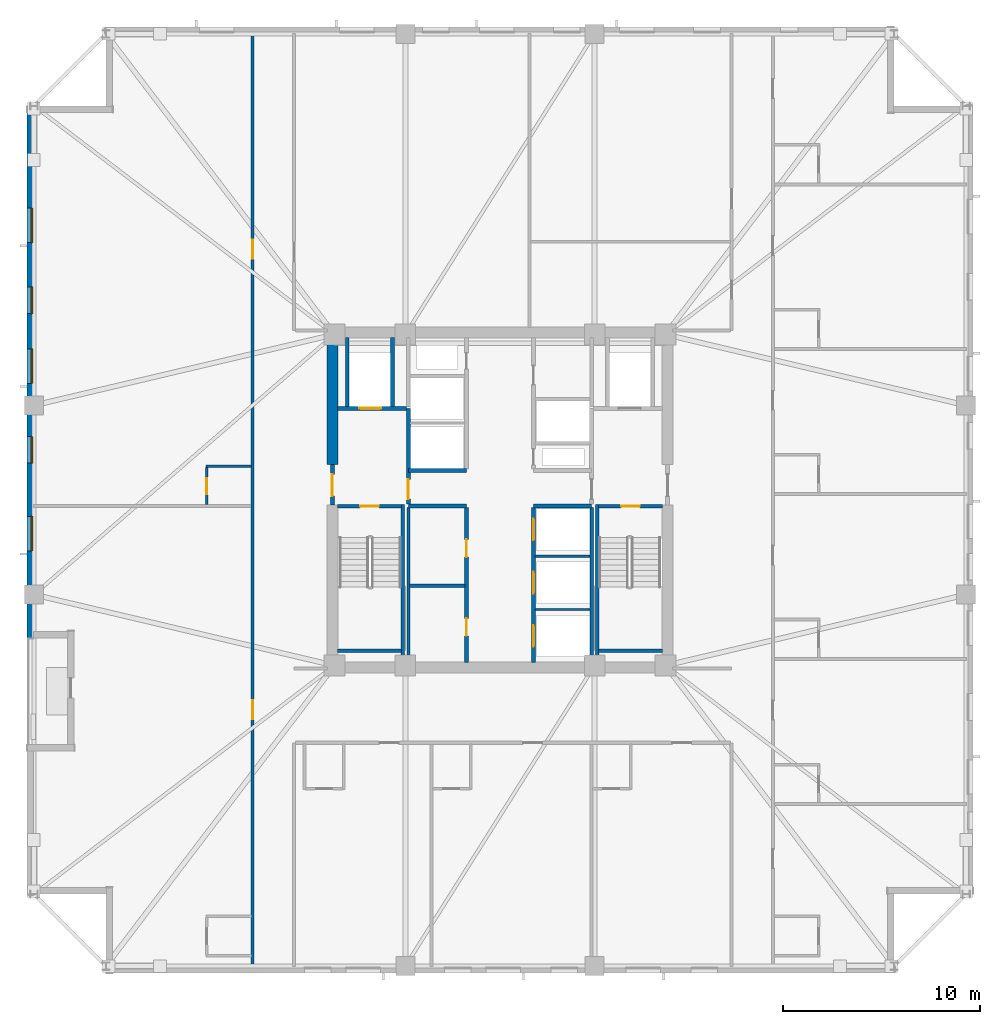
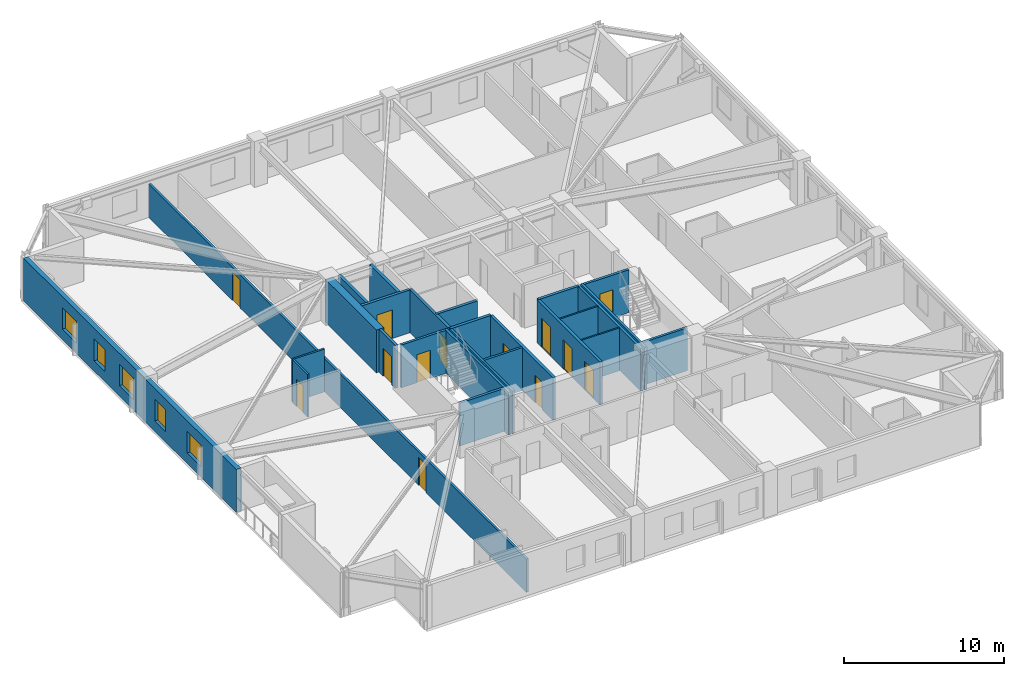
# One storey, part 3 of 11: 26 walls, 13 doors, 5 windows, 18 openings.
"""IFC4 building model written with IfcOpenShell, lengths in metres."""

from ifc_helpers import new_model, si_unit, direction, frame, frame_2d, origin, place, context, subcontext, project, spatial, rectangle, extrude, material, layer, layer_set, type_object, element, fill, save


model = new_model("IFC4")

# Units and contexts
model_context = context("Model", 3, precision=1e-05, world=origin(), true_north=direction((0.0, 1.0)))
body_context = subcontext(model_context, "Body", "Model", "MODEL_VIEW")
ifc_project = project(units=[si_unit("LENGTHUNIT", "METRE"), si_unit("AREAUNIT", "SQUARE_METRE"), si_unit("VOLUMEUNIT", "CUBIC_METRE"), si_unit("PLANEANGLEUNIT", "RADIAN"), si_unit("MASSUNIT", "GRAM", prefix="KILO")], contexts=[model_context])

# Site, building, storey
site_placement = place(None, origin())
site = spatial("IfcSite", under=ifc_project, at=site_placement, CompositionType="ELEMENT")
building_placement = place(site_placement, origin())
building = spatial("IfcBuilding", under=site, at=building_placement, Name="Cairnveth Concourse Tower", CompositionType="ELEMENT")
storey_placement = place(building_placement, frame((0.0, 0.0, 130.5)))
storey = spatial("IfcBuildingStorey", under=building, at=storey_placement, Name="L35", CompositionType="ELEMENT", Elevation=130.5)

# Walls
ifc_material_1 = material(Name="Gypsum Plasterboard Partition", Category="gypsum")
ifc_layer_1 = layer(ifc_material_1, 0.159912109375)
ifc_layer_set_1 = layer_set([ifc_layer_1], Name="Gypsum Plasterboard Partition")
wall_type_1 = type_object("IfcWallType", Name="ACOUSTIC PARTY WALL 180", PredefinedType="PARTITIONING", material=ifc_layer_set_1)
wall_1_placement = place(storey_placement, frame((47.35009765625, 30.760009765625, 0.0), z_axis=(0.0, 0.0, 1.0), x_axis=(0.0, 1.0, 0.0)))
element("IfcWall", 1, at=wall_1_placement, inside=storey, type_object=wall_type_1, Name="Interior Wall IW-L35-025", PredefinedType="PARTITIONING", context=body_context, shape_type="SweptSolid", body=[
    extrude(rectangle(XDim=7.85498046875, YDim=0.159912109375, at=frame_2d((3.927490234375, 0.0))), origin(), (0.0, 0.0, 1.0), 3.280029296875),
])
wall_2_placement = place(storey_placement, frame((47.4150390625, 34.64990234375, 0.0), z_axis=(0.0, 0.0, 1.0), x_axis=(1.0, 0.0, 0.0)))
element("IfcWall", 2, at=wall_2_placement, inside=storey, type_object=wall_type_1, Name="Interior Wall IW-L35-026", PredefinedType="PARTITIONING", context=body_context, shape_type="SweptSolid", body=[
    extrude(rectangle(XDim=2.800048828125, YDim=0.159912109375, at=frame_2d((1.39990234375, 0.0))), origin(), (0.0, 0.0, 1.0), 3.280029296875),
])

# Wall, openings, doors
wall_3_placement = place(storey_placement, frame((39.449951171875, 15.324951171875, 0.0), z_axis=(0.0, 0.0, 1.0), x_axis=(0.0, 1.0, 0.0)))
wall_3 = element("IfcWall", 3, at=wall_3_placement, inside=storey, type_object=wall_type_1, Name="Interior Wall IW-L35-036", PredefinedType="PARTITIONING", context=body_context, shape_type="SweptSolid", body=[
    extrude(rectangle(XDim=47.35009765625, YDim=0.159912109375, at=frame_2d((23.675048828125, 0.0))), origin(), (0.0, 0.0, 1.0), 2.554931640625),
])
opening_1_placement = place(wall_3_placement, frame((12.55712890625, 0.0, 0.0)))
opening_1 = element("IfcOpeningElement", 4, at=opening_1_placement, cuts=wall_3, Name="Opening ID09", PredefinedType="OPENING", context=body_context, shape_type="SweptSolid", body=[
    extrude(rectangle(XDim=0.9599609375, YDim=2.14990234375, at=frame_2d((0.47998046875, 1.074951171875))), frame((0.0, 0.08984375, 0.0), z_axis=(0.0, -1.0, 0.0), x_axis=(1.0, 0.0, 0.0)), (0.0, 0.0, 1.0), 0.179931640625),
])
opening_2_placement = place(wall_3_placement, frame((35.912109375, 0.0, 0.0)))
opening_2 = element("IfcOpeningElement", 5, at=opening_2_placement, cuts=wall_3, Name="Opening ID09", PredefinedType="OPENING", context=body_context, shape_type="SweptSolid", body=[
    extrude(rectangle(XDim=0.9599609375, YDim=2.14990234375, at=frame_2d((0.47998046875, 1.074951171875))), frame((0.0, 0.08984375, 0.0), z_axis=(0.0, -1.0, 0.0), x_axis=(1.0, 0.0, 0.0)), (0.0, 0.0, 1.0), 0.179931640625),
])
ifc_material_2 = material(Name="Solid Core Hardwood Timber Leaf", Category="wood")
door_type_1 = type_object("IfcDoorType", Name="HOTEL ENTRANCE DOOR 960X2150", OperationType="NOTDEFINED", PredefinedType="DOOR", material=ifc_material_2)
door_1_placement = place(opening_1_placement, origin())
door_1 = element("IfcDoor", 6, at=door_1_placement, inside=storey, type_object=door_type_1, Name="Hotel Room Door L35-W1", OperationType="SINGLE_SWING_LEFT", OverallHeight=2.14990234375, OverallWidth=0.9599609375, PredefinedType="DOOR", context=body_context, shape_type="SweptSolid", body=[
    extrude(rectangle(XDim=0.9599609375, YDim=2.14990234375, at=frame_2d((0.47998046875, 1.074951171875))), frame((0.0, 0.02490234375, 0.0), z_axis=(0.0, -1.0, 0.0), x_axis=(1.0, 0.0, 0.0)), (0.0, 0.0, 1.0), 0.050048828125),
])
fill(opening_1, door_1)
door_2_placement = place(opening_2_placement, origin())
door_2 = element("IfcDoor", 7, at=door_2_placement, inside=storey, type_object=door_type_1, Name="Hotel Room Door L35-W2", OperationType="SINGLE_SWING_LEFT", OverallHeight=2.14990234375, OverallWidth=0.9599609375, PredefinedType="DOOR", context=body_context, shape_type="SweptSolid", body=[
    extrude(rectangle(XDim=0.9599609375, YDim=2.14990234375, at=frame_2d((0.47998046875, 1.074951171875))), frame((0.0, 0.02490234375, 0.0), z_axis=(0.0, -1.0, 0.0), x_axis=(1.0, 0.0, 0.0)), (0.0, 0.0, 1.0), 0.050048828125),
])
fill(opening_2, door_2)

# Walls
ifc_material_3 = material(Name="Concrete N80 (80 MPa)", Category="concrete")
ifc_layer_2 = layer(ifc_material_3, 0.550048828125)
ifc_layer_set_2 = layer_set([ifc_layer_2], Name="Concrete N80 (80 MPa)")
wall_type_2 = type_object("IfcWallType", Name="CORE SHEAR WALL 550", PredefinedType="SHEAR", material=ifc_layer_set_2)
wall_4_placement = place(storey_placement, frame((43.5, 40.800048828125, 0.0), z_axis=(0.0, 0.0, 1.0), x_axis=(0.0, 1.0, 0.0)))
element("IfcWall", 8, at=wall_4_placement, inside=storey, type_object=wall_type_2, Name="Core West Shear Wall N L35", PredefinedType="SHEAR", context=body_context, shape_type="SweptSolid", body=[
    extrude(rectangle(XDim=6.43505859375, YDim=0.550048828125, at=frame_2d((3.217529296875, 0.0))), origin(), (0.0, 0.0, 1.0), 3.280029296875),
])
ifc_material_4 = material(Name="Concrete N50 (50 MPa)", Category="concrete")
ifc_layer_3 = layer(ifc_material_4, 0.179931640625)
ifc_layer_set_3 = layer_set([ifc_layer_3], Name="Concrete N50 (50 MPa)")
wall_type_3 = type_object("IfcWallType", Name="FIRE SHAFT WALL 180", PredefinedType="SOLIDWALL", material=ifc_layer_set_3)
wall_5_placement = place(storey_placement, frame((56.64990234375, 30.760009765625, 0.0), z_axis=(0.0, 0.0, 1.0), x_axis=(0.0, 1.0, 0.0)))
element("IfcWall", 9, at=wall_5_placement, inside=storey, type_object=wall_type_3, Name="Interior Wall IW-L35-027", PredefinedType="SOLIDWALL", context=body_context, shape_type="SweptSolid", body=[
    extrude(rectangle(XDim=7.85498046875, YDim=0.179931640625, at=frame_2d((3.927490234375, 0.0))), origin(), (0.0, 0.0, 1.0), 3.280029296875),
])

# Wall, opening, door
wall_6_placement = place(storey_placement, frame((43.764892578125, 38.68994140625, 0.0), z_axis=(0.0, 0.0, 1.0), x_axis=(1.0, 0.0, 0.0)))
wall_6 = element("IfcWall", 10, at=wall_6_placement, inside=storey, type_object=wall_type_3, Name="Stair ST-1 Shaft Wall NEAR L35", PredefinedType="SOLIDWALL", context=body_context, shape_type="SweptSolid", body=[
    extrude(rectangle(XDim=3.230224609375, YDim=0.179931640625, at=frame_2d((1.615234375, 0.0))), origin(), (0.0, 0.0, 1.0), 3.280029296875),
])
opening_3_placement = place(wall_6_placement, frame((1.139892578125, 0.0, 0.0)))
opening_3 = element("IfcOpeningElement", 11, at=opening_3_placement, cuts=wall_6, Name="Opening ID12", PredefinedType="OPENING", context=body_context, shape_type="SweptSolid", body=[
    extrude(rectangle(XDim=0.949951171875, YDim=2.14990234375, at=frame_2d((0.47509765625, 1.074951171875))), frame((0.0, 0.099853515625, 0.0), z_axis=(0.0, -1.0, 0.0), x_axis=(1.0, 0.0, 0.0)), (0.0, 0.0, 1.0), 0.199951171875),
])
ifc_material_5 = material(Name="Steel Grade 350", Category="steel")
door_type_2 = type_object("IfcDoorType", Name="FIRE STAIR DOOR 950X2150", OperationType="NOTDEFINED", PredefinedType="DOOR", material=ifc_material_5)
door_3_placement = place(opening_3_placement, origin())
door_3 = element("IfcDoor", 12, at=door_3_placement, inside=storey, type_object=door_type_2, Name="Stair ST-1 Fire Door L35", OperationType="SINGLE_SWING_LEFT", OverallHeight=2.14990234375, OverallWidth=0.949951171875, PredefinedType="DOOR", context=body_context, shape_type="SweptSolid", body=[
    extrude(rectangle(XDim=0.949951171875, YDim=2.14990234375, at=frame_2d((0.47509765625, 1.074951171875))), frame((0.0, 0.02490234375, 0.0), z_axis=(0.0, -1.0, 0.0), x_axis=(1.0, 0.0, 0.0)), (0.0, 0.0, 1.0), 0.050048828125),
])
fill(opening_3, door_3)

# Walls
wall_7_placement = place(storey_placement, frame((43.764892578125, 31.360107421875, 0.0), z_axis=(0.0, 0.0, 1.0), x_axis=(1.0, 0.0, 0.0)))
element("IfcWall", 13, at=wall_7_placement, inside=storey, type_object=wall_type_3, Name="Stair ST-1 Shaft Wall FAR L35", PredefinedType="SOLIDWALL", context=body_context, shape_type="SweptSolid", body=[
    extrude(rectangle(XDim=3.230224609375, YDim=0.179931640625, at=frame_2d((1.615234375, 0.0))), origin(), (0.0, 0.0, 1.0), 3.280029296875),
])
wall_8_placement = place(storey_placement, frame((47.070068359375, 38.780029296875, 0.0), z_axis=(0.0, 0.0, 1.0), x_axis=(0.0, -1.0, 0.0)))
element("IfcWall", 14, at=wall_8_placement, inside=storey, type_object=wall_type_3, Name="Stair ST-1 Shaft Wall RGHT L35", PredefinedType="SOLIDWALL", context=body_context, shape_type="SweptSolid", body=[
    extrude(rectangle(XDim=8.01708984375, YDim=0.179931640625, at=frame_2d((4.008544921875, 0.0))), origin(), (0.0, 0.0, 1.0), 3.280029296875),
])

# Wall, opening, door
wall_9_placement = place(storey_placement, frame((57.0048828125, 38.68994140625, 0.0), z_axis=(0.0, 0.0, 1.0), x_axis=(1.0, 0.0, 0.0)))
wall_9 = element("IfcWall", 15, at=wall_9_placement, inside=storey, type_object=wall_type_3, Name="Stair ST-2 Shaft Wall NEAR L35", PredefinedType="SOLIDWALL", context=body_context, shape_type="SweptSolid", body=[
    extrude(rectangle(XDim=3.230224609375, YDim=0.179931640625, at=frame_2d((1.615234375, 0.0))), origin(), (0.0, 0.0, 1.0), 3.280029296875),
])
opening_4_placement = place(wall_9_placement, frame((1.139892578125, 0.0, 0.0)))
opening_4 = element("IfcOpeningElement", 16, at=opening_4_placement, cuts=wall_9, Name="Opening ID12", PredefinedType="OPENING", context=body_context, shape_type="SweptSolid", body=[
    extrude(rectangle(XDim=0.949951171875, YDim=2.14990234375, at=frame_2d((0.47509765625, 1.074951171875))), frame((0.0, 0.099853515625, 0.0), z_axis=(0.0, -1.0, 0.0), x_axis=(1.0, 0.0, 0.0)), (0.0, 0.0, 1.0), 0.199951171875),
])
door_4_placement = place(opening_4_placement, origin())
door_4 = element("IfcDoor", 17, at=door_4_placement, inside=storey, type_object=door_type_2, Name="Stair ST-2 Fire Door L35", OperationType="SINGLE_SWING_RIGHT", OverallHeight=2.14990234375, OverallWidth=0.949951171875, PredefinedType="DOOR", context=body_context, shape_type="SweptSolid", body=[
    extrude(rectangle(XDim=0.949951171875, YDim=2.14990234375, at=frame_2d((0.47509765625, 1.074951171875))), frame((0.0, 0.02490234375, 0.0), z_axis=(0.0, -1.0, 0.0), x_axis=(1.0, 0.0, 0.0)), (0.0, 0.0, 1.0), 0.050048828125),
])
fill(opening_4, door_4)

# Walls
wall_10_placement = place(storey_placement, frame((57.0048828125, 31.360107421875, 0.0), z_axis=(0.0, 0.0, 1.0), x_axis=(1.0, 0.0, 0.0)))
element("IfcWall", 18, at=wall_10_placement, inside=storey, type_object=wall_type_3, Name="Stair ST-2 Shaft Wall FAR L35", PredefinedType="SOLIDWALL", context=body_context, shape_type="SweptSolid", body=[
    extrude(rectangle(XDim=3.230224609375, YDim=0.179931640625, at=frame_2d((1.615234375, 0.0))), origin(), (0.0, 0.0, 1.0), 3.280029296875),
])
wall_11_placement = place(storey_placement, frame((56.929931640625, 38.780029296875, 0.0), z_axis=(0.0, 0.0, 1.0), x_axis=(0.0, -1.0, 0.0)))
element("IfcWall", 19, at=wall_11_placement, inside=storey, type_object=wall_type_3, Name="Stair ST-2 Shaft Wall LEFT L35", PredefinedType="SOLIDWALL", context=body_context, shape_type="SweptSolid", body=[
    extrude(rectangle(XDim=8.01708984375, YDim=0.179931640625, at=frame_2d((4.008544921875, 0.0))), origin(), (0.0, 0.0, 1.0), 3.280029296875),
])
ifc_layer_4 = layer(ifc_material_4, 0.199951171875)
ifc_layer_set_4 = layer_set([ifc_layer_4], Name="Concrete N50 (50 MPa)")
wall_type_4 = type_object("IfcWallType", Name="FIRE SHAFT WALL 200", PredefinedType="SOLIDWALL", material=ifc_layer_set_4)
for number, where, z_axis, x_axis, name in (
    (20, (47.35009765625, 38.699951171875, 0.0), (0.0, 0.0, 1.0), (1.0, 0.0, 0.0), "Interior Wall IW-L35-007"),
    (21, (47.35009765625, 40.5, 0.0), (0.0, 0.0, 1.0), (1.0, 0.0, 0.0), "Interior Wall IW-L35-008"),
    (22, (53.699951171875, 38.699951171875, 0.0), (0.0, 0.0, 1.0), (1.0, 0.0, 0.0), "Interior Wall IW-L35-009"),
):
    element("IfcWall", number, at=place(storey_placement, frame(where, z_axis=z_axis, x_axis=x_axis)), inside=storey, type_object=wall_type_4, Name=name, PredefinedType="SOLIDWALL", context=body_context, shape_type="SweptSolid", body=[
        extrude(rectangle(XDim=2.949951171875, YDim=0.199951171875, at=frame_2d((1.47509765625, 0.0))), origin(), (0.0, 0.0, 1.0), 3.280029296875),
    ])

# Wall, openings, doors
wall_12_placement = place(storey_placement, frame((50.300048828125, 30.760009765625, 0.0), z_axis=(0.0, 0.0, 1.0), x_axis=(0.0, 1.0, 0.0)))
wall_12 = element("IfcWall", 23, at=wall_12_placement, inside=storey, type_object=wall_type_4, Name="Interior Wall IW-L35-011", PredefinedType="SOLIDWALL", context=body_context, shape_type="SweptSolid", body=[
    extrude(rectangle(XDim=7.85498046875, YDim=0.199951171875, at=frame_2d((3.927490234375, 0.0))), origin(), (0.0, 0.0, 1.0), 3.280029296875),
])
opening_5_placement = place(wall_12_placement, frame((1.340087890625, 0.0, 0.0)))
opening_5 = element("IfcOpeningElement", 24, at=opening_5_placement, cuts=wall_12, Name="Opening ID26", PredefinedType="OPENING", context=body_context, shape_type="SweptSolid", body=[
    extrude(rectangle(XDim=0.89990234375, YDim=2.1201171875, at=frame_2d((0.449951171875, 1.06005859375))), frame((0.0, 0.10986328125, 0.0), z_axis=(0.0, -1.0, 0.0), x_axis=(1.0, 0.0, 0.0)), (0.0, 0.0, 1.0), 0.219970703125),
])
opening_6_placement = place(wall_12_placement, frame((5.340087890625, 0.0, 0.0)))
opening_6 = element("IfcOpeningElement", 25, at=opening_6_placement, cuts=wall_12, Name="Opening ID26", PredefinedType="OPENING", context=body_context, shape_type="SweptSolid", body=[
    extrude(rectangle(XDim=0.89990234375, YDim=2.1201171875, at=frame_2d((0.449951171875, 1.06005859375))), frame((0.0, 0.10986328125, 0.0), z_axis=(0.0, -1.0, 0.0), x_axis=(1.0, 0.0, 0.0)), (0.0, 0.0, 1.0), 0.219970703125),
])
door_type_3 = type_object("IfcDoorType", Name="CORE TOILET FIRE DOOR 900X2120", OperationType="NOTDEFINED", PredefinedType="DOOR", material=ifc_material_5)
door_5_placement = place(opening_5_placement, origin())
door_5 = element("IfcDoor", 26, at=door_5_placement, inside=storey, type_object=door_type_3, Name="Male WC Door L35", OperationType="SINGLE_SWING_LEFT", OverallHeight=2.1201171875, OverallWidth=0.89990234375, PredefinedType="DOOR", context=body_context, shape_type="SweptSolid", body=[
    extrude(rectangle(XDim=0.89990234375, YDim=2.1201171875, at=frame_2d((0.449951171875, 1.06005859375))), frame((0.0, 0.02490234375, 0.0), z_axis=(0.0, -1.0, 0.0), x_axis=(1.0, 0.0, 0.0)), (0.0, 0.0, 1.0), 0.050048828125),
])
fill(opening_5, door_5)
door_6_placement = place(opening_6_placement, origin())
door_6 = element("IfcDoor", 27, at=door_6_placement, inside=storey, type_object=door_type_3, Name="Female WC Door L35", OperationType="SINGLE_SWING_RIGHT", OverallHeight=2.1201171875, OverallWidth=0.89990234375, PredefinedType="DOOR", context=body_context, shape_type="SweptSolid", body=[
    extrude(rectangle(XDim=0.89990234375, YDim=2.1201171875, at=frame_2d((0.449951171875, 1.06005859375))), frame((0.0, 0.02490234375, 0.0), z_axis=(0.0, -1.0, 0.0), x_axis=(1.0, 0.0, 0.0)), (0.0, 0.0, 1.0), 0.050048828125),
])
fill(opening_6, door_6)

wall_13_placement = place(storey_placement, frame((53.699951171875, 30.760009765625, 0.0), z_axis=(0.0, 0.0, 1.0), x_axis=(0.0, 1.0, 0.0)))
wall_13 = element("IfcWall", 28, at=wall_13_placement, inside=storey, type_object=wall_type_4, Name="Interior Wall IW-L35-012", PredefinedType="SOLIDWALL", context=body_context, shape_type="SweptSolid", body=[
    extrude(rectangle(XDim=7.85498046875, YDim=0.199951171875, at=frame_2d((3.927490234375, 0.0))), origin(), (0.0, 0.0, 1.0), 3.280029296875),
])
opening_7_placement = place(wall_13_placement, frame((0.7900390625, 0.0, 0.0)))
opening_7 = element("IfcOpeningElement", 29, at=opening_7_placement, cuts=wall_13, Name="Opening LD-1", PredefinedType="OPENING", context=body_context, shape_type="SweptSolid", body=[
    extrude(rectangle(XDim=1.10009765625, YDim=2.199951171875, at=frame_2d((0.550048828125, 1.10009765625))), frame((0.0, 0.10986328125, 0.0), z_axis=(0.0, -1.0, 0.0), x_axis=(1.0, 0.0, 0.0)), (0.0, 0.0, 1.0), 0.219970703125),
])
opening_8_placement = place(wall_13_placement, frame((3.489990234375, 0.0, 0.0)))
opening_8 = element("IfcOpeningElement", 30, at=opening_8_placement, cuts=wall_13, Name="Opening LD-1", PredefinedType="OPENING", context=body_context, shape_type="SweptSolid", body=[
    extrude(rectangle(XDim=1.10009765625, YDim=2.199951171875, at=frame_2d((0.550048828125, 1.10009765625))), frame((0.0, 0.10986328125, 0.0), z_axis=(0.0, -1.0, 0.0), x_axis=(1.0, 0.0, 0.0)), (0.0, 0.0, 1.0), 0.219970703125),
])
opening_9_placement = place(wall_13_placement, frame((6.18994140625, 0.0, 0.0)))
opening_9 = element("IfcOpeningElement", 31, at=opening_9_placement, cuts=wall_13, Name="Opening LD-1", PredefinedType="OPENING", context=body_context, shape_type="SweptSolid", body=[
    extrude(rectangle(XDim=1.10009765625, YDim=2.199951171875, at=frame_2d((0.550048828125, 1.10009765625))), frame((0.0, 0.10986328125, 0.0), z_axis=(0.0, -1.0, 0.0), x_axis=(1.0, 0.0, 0.0)), (0.0, 0.0, 1.0), 0.219970703125),
])
ifc_material_6 = material(Name="Architectural Bronze Anodised Aluminium 6063-T6", Category="aluminium")
door_type_4 = type_object("IfcDoorType", Name="LIFT LANDING DOOR 1100X2200", OperationType="SLIDING_TO_LEFT", PredefinedType="DOOR", material=ifc_material_6)
door_7_placement = place(opening_7_placement, origin())
door_7 = element("IfcDoor", 32, at=door_7_placement, inside=storey, type_object=door_type_4, Name="Lift PL4 Landing Door L35", OperationType="SLIDING_TO_LEFT", OverallHeight=2.199951171875, OverallWidth=1.10009765625, PredefinedType="DOOR", context=body_context, shape_type="SweptSolid", body=[
    extrude(rectangle(XDim=1.10009765625, YDim=2.199951171875, at=frame_2d((0.550048828125, 1.10009765625))), frame((0.0, 0.02490234375, 0.0), z_axis=(0.0, -1.0, 0.0), x_axis=(1.0, 0.0, 0.0)), (0.0, 0.0, 1.0), 0.050048828125),
])
fill(opening_7, door_7)
door_8_placement = place(opening_8_placement, origin())
door_8 = element("IfcDoor", 33, at=door_8_placement, inside=storey, type_object=door_type_4, Name="Lift PL5 Landing Door L35", OperationType="SLIDING_TO_LEFT", OverallHeight=2.199951171875, OverallWidth=1.10009765625, PredefinedType="DOOR", context=body_context, shape_type="SweptSolid", body=[
    extrude(rectangle(XDim=1.10009765625, YDim=2.199951171875, at=frame_2d((0.550048828125, 1.10009765625))), frame((0.0, 0.02490234375, 0.0), z_axis=(0.0, -1.0, 0.0), x_axis=(1.0, 0.0, 0.0)), (0.0, 0.0, 1.0), 0.050048828125),
])
fill(opening_8, door_8)
door_9_placement = place(opening_9_placement, origin())
door_9 = element("IfcDoor", 34, at=door_9_placement, inside=storey, type_object=door_type_4, Name="Lift PL6 Landing Door L35", OperationType="SLIDING_TO_LEFT", OverallHeight=2.199951171875, OverallWidth=1.10009765625, PredefinedType="DOOR", context=body_context, shape_type="SweptSolid", body=[
    extrude(rectangle(XDim=1.10009765625, YDim=2.199951171875, at=frame_2d((0.550048828125, 1.10009765625))), frame((0.0, 0.02490234375, 0.0), z_axis=(0.0, -1.0, 0.0), x_axis=(1.0, 0.0, 0.0)), (0.0, 0.0, 1.0), 0.050048828125),
])
fill(opening_9, door_9)

# Wall, opening, door
wall_14_placement = place(storey_placement, frame((43.5, 38.75, 0.0), z_axis=(0.0, 0.0, 1.0), x_axis=(0.0, 1.0, 0.0)))
wall_14 = element("IfcWall", 35, at=wall_14_placement, inside=storey, type_object=wall_type_4, Name="Interior Wall IW-L35-015", PredefinedType="SOLIDWALL", context=body_context, shape_type="SweptSolid", body=[
    extrude(rectangle(XDim=2.050048828125, YDim=0.199951171875, at=frame_2d((1.02490234375, 0.0))), origin(), (0.0, 0.0, 1.0), 3.280029296875),
])
opening_10_placement = place(wall_14_placement, frame((0.449951171875, 0.0, 0.0)))
opening_10 = element("IfcOpeningElement", 36, at=opening_10_placement, cuts=wall_14, Name="Opening ID06", PredefinedType="OPENING", context=body_context, shape_type="SweptSolid", body=[
    extrude(rectangle(XDim=1.10009765625, YDim=2.14990234375, at=frame_2d((0.550048828125, 1.074951171875))), frame((0.0, 0.10986328125, 0.0), z_axis=(0.0, -1.0, 0.0), x_axis=(1.0, 0.0, 0.0)), (0.0, 0.0, 1.0), 0.219970703125),
])
door_type_5 = type_object("IfcDoorType", Name="FIRE CORRIDOR DOOR 1100X2150", OperationType="NOTDEFINED", PredefinedType="DOOR", material=ifc_material_5)
door_10_placement = place(opening_10_placement, origin())
door_10 = element("IfcDoor", 37, at=door_10_placement, inside=storey, type_object=door_type_5, Name="West Wing to FF Lobby Door L35", OperationType="SINGLE_SWING_LEFT", OverallHeight=2.14990234375, OverallWidth=1.10009765625, PredefinedType="DOOR", context=body_context, shape_type="SweptSolid", body=[
    extrude(rectangle(XDim=1.10009765625, YDim=2.14990234375, at=frame_2d((0.550048828125, 1.074951171875))), frame((0.0, 0.02490234375, 0.0), z_axis=(0.0, -1.0, 0.0), x_axis=(1.0, 0.0, 0.0)), (0.0, 0.0, 1.0), 0.050048828125),
])
fill(opening_10, door_10)

wall_15_placement = place(storey_placement, frame((47.35009765625, 38.784912109375, 0.0), z_axis=(0.0, 0.0, 1.0), x_axis=(0.0, 1.0, 0.0)))
wall_15 = element("IfcWall", 38, at=wall_15_placement, inside=storey, type_object=wall_type_4, Name="Interior Wall IW-L35-016", PredefinedType="SOLIDWALL", context=body_context, shape_type="SweptSolid", body=[
    extrude(rectangle(XDim=4.864990234375, YDim=0.199951171875, at=frame_2d((2.4326171875, 0.0))), origin(), (0.0, 0.0, 1.0), 3.280029296875),
])
opening_11_placement = place(wall_15_placement, frame((0.264892578125, 0.0, 0.0)))
opening_11 = element("IfcOpeningElement", 39, at=opening_11_placement, cuts=wall_15, Name="Opening ID07", PredefinedType="OPENING", context=body_context, shape_type="SweptSolid", body=[
    extrude(rectangle(XDim=1.0, YDim=2.14990234375, at=frame_2d((0.5, 1.074951171875))), frame((0.0, 0.10986328125, 0.0), z_axis=(0.0, -1.0, 0.0), x_axis=(1.0, 0.0, 0.0)), (0.0, 0.0, 1.0), 0.219970703125),
])
door_type_6 = type_object("IfcDoorType", Name="FIRE CORRIDOR DOOR 1000X2150", OperationType="NOTDEFINED", PredefinedType="DOOR", material=ifc_material_5)
door_11_placement = place(opening_11_placement, origin())
door_11 = element("IfcDoor", 40, at=door_11_placement, inside=storey, type_object=door_type_6, Name="FF Lobby West to Lift Lobby Door L35", OperationType="SINGLE_SWING_RIGHT", OverallHeight=2.14990234375, OverallWidth=1.0, PredefinedType="DOOR", context=body_context, shape_type="SweptSolid", body=[
    extrude(rectangle(XDim=1.0, YDim=2.14990234375, at=frame_2d((0.5, 1.074951171875))), frame((0.0, 0.02490234375, 0.0), z_axis=(0.0, -1.0, 0.0), x_axis=(1.0, 0.0, 0.0)), (0.0, 0.0, 1.0), 0.050048828125),
])
fill(opening_11, door_11)

wall_16_placement = place(storey_placement, frame((43.760009765625, 43.64990234375, 0.0), z_axis=(0.0, 0.0, 1.0), x_axis=(1.0, 0.0, 0.0)))
wall_16 = element("IfcWall", 41, at=wall_16_placement, inside=storey, type_object=wall_type_4, Name="Interior Wall IW-L35-017", PredefinedType="SOLIDWALL", context=body_context, shape_type="SweptSolid", body=[
    extrude(rectangle(XDim=3.5048828125, YDim=0.199951171875, at=frame_2d((1.75244140625, 0.0))), origin(), (0.0, 0.0, 1.0), 3.280029296875),
])
opening_12_placement = place(wall_16_placement, frame((1.110107421875, 0.0, 0.0)))
opening_12 = element("IfcOpeningElement", 42, at=opening_12_placement, cuts=wall_16, Name="Opening LD-1", PredefinedType="OPENING", context=body_context, shape_type="SweptSolid", body=[
    extrude(rectangle(XDim=1.10009765625, YDim=2.199951171875, at=frame_2d((0.550048828125, 1.10009765625))), frame((0.0, 0.10986328125, 0.0), z_axis=(0.0, -1.0, 0.0), x_axis=(1.0, 0.0, 0.0)), (0.0, 0.0, 1.0), 0.219970703125),
])
door_12_placement = place(opening_12_placement, origin())
door_12 = element("IfcDoor", 43, at=door_12_placement, inside=storey, type_object=door_type_4, Name="Lift FFL1 Landing Door L35", OperationType="SLIDING_TO_LEFT", OverallHeight=2.199951171875, OverallWidth=1.10009765625, PredefinedType="DOOR", context=body_context, shape_type="SweptSolid", body=[
    extrude(rectangle(XDim=1.10009765625, YDim=2.199951171875, at=frame_2d((0.550048828125, 1.10009765625))), frame((0.0, 0.02490234375, 0.0), z_axis=(0.0, -1.0, 0.0), x_axis=(1.0, 0.0, 0.0)), (0.0, 0.0, 1.0), 0.050048828125),
])
fill(opening_12, door_12)

# Walls
for number, where, z_axis, x_axis, name in (
    (44, (46.550048828125, 43.735107421875, 0.0), (0.0, 0.0, 1.0), (0.0, 1.0, 0.0), "Interior Wall IW-L35-018"),
    (45, (44.25, 43.735107421875, 0.0), (0.0, 0.0, 1.0), (0.0, 1.0, 0.0), "Interior Wall IW-L35-019"),
):
    element("IfcWall", number, at=place(storey_placement, frame(where, z_axis=z_axis, x_axis=x_axis)), inside=storey, type_object=wall_type_4, Name=name, PredefinedType="SOLIDWALL", context=body_context, shape_type="SweptSolid", body=[
        extrude(rectangle(XDim=3.5048828125, YDim=0.199951171875, at=frame_2d((1.75244140625, 0.0))), origin(), (0.0, 0.0, 1.0), 3.280029296875),
    ])
ifc_layer_5 = layer(ifc_material_1, 0.110107421875)
ifc_layer_set_5 = layer_set([ifc_layer_5], Name="Gypsum Plasterboard Partition")
wall_type_5 = type_object("IfcWallType", Name="SHAFT DIVIDER WALL 140", PredefinedType="PARTITIONING", material=ifc_layer_set_5)
for number, where, z_axis, x_axis, name in (
    (46, (53.784912109375, 33.449951171875, 0.0), (0.0, 0.0, 1.0), (1.0, 0.0, 0.0), "Interior Wall IW-L35-028"),
    (47, (53.784912109375, 36.14990234375, 0.0), (0.0, 0.0, 1.0), (1.0, 0.0, 0.0), "Interior Wall IW-L35-029"),
):
    element("IfcWall", number, at=place(storey_placement, frame(where, z_axis=z_axis, x_axis=x_axis)), inside=storey, type_object=wall_type_5, Name=name, PredefinedType="PARTITIONING", context=body_context, shape_type="SweptSolid", body=[
        extrude(rectangle(XDim=2.7900390625, YDim=0.110107421875, at=frame_2d((1.39501953125, 0.0))), origin(), (0.0, 0.0, 1.0), 3.280029296875),
    ])
ifc_layer_6 = layer(ifc_material_1, 0.1298828125)
ifc_layer_set_6 = layer_set([ifc_layer_6], Name="Gypsum Plasterboard Partition")
wall_type_6 = type_object("IfcWallType", Name="WET AREA PARTITION 140", PredefinedType="PLUMBINGWALL", material=ifc_layer_set_6)
wall_17_placement = place(storey_placement, frame((37.070068359375, 40.704345703125, 0.0), z_axis=(0.0, 0.0, 1.0), x_axis=(1.0, 0.0, 0.0)))
element("IfcWall", 48, at=wall_17_placement, inside=storey, type_object=wall_type_6, Name="Interior Wall IW-L35-062", PredefinedType="PLUMBINGWALL", context=body_context, shape_type="SweptSolid", body=[
    extrude(rectangle(XDim=2.31494140625, YDim=0.1298828125, at=frame_2d((1.157470703125, 0.0))), origin(), (0.0, 0.0, 1.0), 3.280029296875),
])

# Wall, opening, door
wall_18_placement = place(storey_placement, frame((37.1201171875, 38.769287109375, 0.0), z_axis=(0.0, 0.0, 1.0), x_axis=(0.0, 1.0, 0.0)))
wall_18 = element("IfcWall", 49, at=wall_18_placement, inside=storey, type_object=wall_type_6, Name="Interior Wall IW-L35-063", PredefinedType="PLUMBINGWALL", context=body_context, shape_type="SweptSolid", body=[
    extrude(rectangle(XDim=1.885009765625, YDim=0.1298828125, at=frame_2d((0.9423828125, 0.0))), origin(), (0.0, 0.0, 1.0), 3.280029296875),
])
opening_13_placement = place(wall_18_placement, frame((0.52490234375, 0.0, 0.0)))
opening_13 = element("IfcOpeningElement", 50, at=opening_13_placement, cuts=wall_18, Name="Opening ID22", PredefinedType="OPENING", context=body_context, shape_type="SweptSolid", body=[
    extrude(rectangle(XDim=0.820068359375, YDim=2.10009765625, at=frame_2d((0.41015625, 1.050048828125))), frame((0.0, 0.074951171875, 0.0), z_axis=(0.0, -1.0, 0.0), x_axis=(1.0, 0.0, 0.0)), (0.0, 0.0, 1.0), 0.14990234375),
])
door_type_7 = type_object("IfcDoorType", Name="INTERIOR WC DOOR 820X2100", OperationType="NOTDEFINED", PredefinedType="DOOR", material=ifc_material_2)
door_13_placement = place(opening_13_placement, origin())
door_13 = element("IfcDoor", 51, at=door_13_placement, inside=storey, type_object=door_type_7, Name="En-Suite Door L35-W2", OperationType="SINGLE_SWING_RIGHT", OverallHeight=2.10009765625, OverallWidth=0.820068359375, PredefinedType="DOOR", context=body_context, shape_type="SweptSolid", body=[
    extrude(rectangle(XDim=0.820068359375, YDim=2.10009765625, at=frame_2d((0.41015625, 1.050048828125))), frame((0.0, 0.02490234375, 0.0), z_axis=(0.0, -1.0, 0.0), x_axis=(1.0, 0.0, 0.0)), (0.0, 0.0, 1.0), 0.050048828125),
])
fill(opening_13, door_13)

# Wall, openings, windows
ifc_material_7 = material(Name="Hawthorn Red-Ochre Fired Clay Brick Masonry", Category="masonry")
ifc_layer_7 = layer(ifc_material_7, 0.340087890625)
ifc_layer_set_7 = layer_set([ifc_layer_7], Name="Hawthorn Red-Ochre Fired Clay Brick Masonry")
wall_type_7 = type_object("IfcWallType", Name="ZONE 2 BRICK PIER SPANDREL WALL 340", PredefinedType="SOLIDWALL", material=ifc_layer_set_7)
wall_19_placement = place(storey_placement, frame((28.169921875, 32.0, 0.0), z_axis=(0.0, 0.0, 1.0), x_axis=(0.0, 1.0, 0.0)))
wall_19 = element("IfcWall", 52, at=wall_19_placement, inside=storey, type_object=wall_type_7, Name="Exterior Wall EW-L35-S00", PredefinedType="SOLIDWALL", context=body_context, shape_type="SweptSolid", body=[
    extrude(rectangle(XDim=26.681884765625, YDim=0.340087890625, at=frame_2d((13.3408203125, 0.0))), origin(), (0.0, 0.0, 1.0), 3.280029296875),
])
opening_14_placement = place(wall_19_placement, frame((4.423095703125, 0.0, 0.800048828125)))
opening_14 = element("IfcOpeningElement", 53, at=opening_14_placement, cuts=wall_19, Name="Opening W06", PredefinedType="OPENING", context=body_context, shape_type="SweptSolid", body=[
    extrude(rectangle(XDim=1.75, YDim=1.659912109375, at=frame_2d((0.875, 0.830078125))), frame((0.0, 0.179931640625, 0.0), z_axis=(0.0, -1.0, 0.0), x_axis=(1.0, 0.0, 0.0)), (0.0, 0.0, 1.0), 0.360107421875),
])
opening_15_placement = place(wall_19_placement, frame((8.86962890625, 0.0, 0.800048828125)))
opening_15 = element("IfcOpeningElement", 54, at=opening_15_placement, cuts=wall_19, Name="Opening W02", PredefinedType="OPENING", context=body_context, shape_type="SweptSolid", body=[
    extrude(rectangle(XDim=1.35009765625, YDim=1.659912109375, at=frame_2d((0.675048828125, 0.830078125))), frame((0.0, 0.179931640625, 0.0), z_axis=(0.0, -1.0, 0.0), x_axis=(1.0, 0.0, 0.0)), (0.0, 0.0, 1.0), 0.360107421875),
])
opening_16_placement = place(wall_19_placement, frame((12.916015625, 0.0, 0.800048828125)))
opening_16 = element("IfcOpeningElement", 55, at=opening_16_placement, cuts=wall_19, Name="Opening W06", PredefinedType="OPENING", context=body_context, shape_type="SweptSolid", body=[
    extrude(rectangle(XDim=1.75, YDim=1.659912109375, at=frame_2d((0.875, 0.830078125))), frame((0.0, 0.179931640625, 0.0), z_axis=(0.0, -1.0, 0.0), x_axis=(1.0, 0.0, 0.0)), (0.0, 0.0, 1.0), 0.360107421875),
])
opening_17_placement = place(wall_19_placement, frame((16.46240234375, 0.0, 0.800048828125)))
opening_17 = element("IfcOpeningElement", 56, at=opening_17_placement, cuts=wall_19, Name="Opening W02", PredefinedType="OPENING", context=body_context, shape_type="SweptSolid", body=[
    extrude(rectangle(XDim=1.35009765625, YDim=1.659912109375, at=frame_2d((0.675048828125, 0.830078125))), frame((0.0, 0.179931640625, 0.0), z_axis=(0.0, -1.0, 0.0), x_axis=(1.0, 0.0, 0.0)), (0.0, 0.0, 1.0), 0.360107421875),
])
opening_18_placement = place(wall_19_placement, frame((20.058837890625, 0.0, 0.800048828125)))
opening_18 = element("IfcOpeningElement", 57, at=opening_18_placement, cuts=wall_19, Name="Opening W06", PredefinedType="OPENING", context=body_context, shape_type="SweptSolid", body=[
    extrude(rectangle(XDim=1.75, YDim=1.659912109375, at=frame_2d((0.875, 0.830078125))), frame((0.0, 0.179931640625, 0.0), z_axis=(0.0, -1.0, 0.0), x_axis=(1.0, 0.0, 0.0)), (0.0, 0.0, 1.0), 0.360107421875),
])
ifc_material_8 = material(Name="Double Glazed Low-E Clear Glass", Category="glass")
window_type_1 = type_object("IfcWindowType", Name="DEEP-SET GOTHIC LANCET WINDOW 1350X1800", PartitioningType="DOUBLE_PANEL_VERTICAL", PredefinedType="WINDOW", material=ifc_material_8)
window_1_placement = place(opening_15_placement, origin())
window_1 = element("IfcWindow", 58, at=window_1_placement, inside=storey, type_object=window_type_1, Name="Gothic Lancet Window L35-0-2", OverallHeight=1.659912109375, OverallWidth=1.35009765625, PartitioningType="SINGLE_PANEL", PredefinedType="WINDOW", context=body_context, shape_type="SweptSolid", body=[
    extrude(rectangle(XDim=1.35009765625, YDim=1.659912109375, at=frame_2d((0.675048828125, 0.830078125))), frame((0.0, -0.050048828125, 0.0), z_axis=(0.0, -1.0, 0.0), x_axis=(1.0, 0.0, 0.0)), (0.0, 0.0, 1.0), 0.06005859375),
])
fill(opening_15, window_1)
window_2_placement = place(opening_17_placement, origin())
window_2 = element("IfcWindow", 59, at=window_2_placement, inside=storey, type_object=window_type_1, Name="Gothic Lancet Window L35-0-4", OverallHeight=1.659912109375, OverallWidth=1.35009765625, PartitioningType="SINGLE_PANEL", PredefinedType="WINDOW", context=body_context, shape_type="SweptSolid", body=[
    extrude(rectangle(XDim=1.35009765625, YDim=1.659912109375, at=frame_2d((0.675048828125, 0.830078125))), frame((0.0, -0.050048828125, 0.0), z_axis=(0.0, -1.0, 0.0), x_axis=(1.0, 0.0, 0.0)), (0.0, 0.0, 1.0), 0.06005859375),
])
fill(opening_17, window_2)
window_type_2 = type_object("IfcWindowType", Name="DEEP-SET HOTEL SUITE WINDOW 1750X1800", PartitioningType="DOUBLE_PANEL_VERTICAL", PredefinedType="WINDOW", material=ifc_material_8)
window_3_placement = place(opening_14_placement, origin())
window_3 = element("IfcWindow", 60, at=window_3_placement, inside=storey, type_object=window_type_2, Name="Gothic Lancet Window L35-0-1", OverallHeight=1.659912109375, OverallWidth=1.75, PartitioningType="SINGLE_PANEL", PredefinedType="WINDOW", context=body_context, shape_type="SweptSolid", body=[
    extrude(rectangle(XDim=1.75, YDim=1.659912109375, at=frame_2d((0.875, 0.830078125))), frame((0.0, -0.050048828125, 0.0), z_axis=(0.0, -1.0, 0.0), x_axis=(1.0, 0.0, 0.0)), (0.0, 0.0, 1.0), 0.06005859375),
])
fill(opening_14, window_3)
window_4_placement = place(opening_16_placement, origin())
window_4 = element("IfcWindow", 61, at=window_4_placement, inside=storey, type_object=window_type_2, Name="Gothic Lancet Window L35-0-3", OverallHeight=1.659912109375, OverallWidth=1.75, PartitioningType="SINGLE_PANEL", PredefinedType="WINDOW", context=body_context, shape_type="SweptSolid", body=[
    extrude(rectangle(XDim=1.75, YDim=1.659912109375, at=frame_2d((0.875, 0.830078125))), frame((0.0, -0.050048828125, 0.0), z_axis=(0.0, -1.0, 0.0), x_axis=(1.0, 0.0, 0.0)), (0.0, 0.0, 1.0), 0.06005859375),
])
fill(opening_16, window_4)
window_5_placement = place(opening_18_placement, origin())
window_5 = element("IfcWindow", 62, at=window_5_placement, inside=storey, type_object=window_type_2, Name="Gothic Lancet Window L35-0-5", OverallHeight=1.659912109375, OverallWidth=1.75, PartitioningType="SINGLE_PANEL", PredefinedType="WINDOW", context=body_context, shape_type="SweptSolid", body=[
    extrude(rectangle(XDim=1.75, YDim=1.659912109375, at=frame_2d((0.875, 0.830078125))), frame((0.0, -0.050048828125, 0.0), z_axis=(0.0, -1.0, 0.0), x_axis=(1.0, 0.0, 0.0)), (0.0, 0.0, 1.0), 0.06005859375),
])
fill(opening_18, window_5)

save(model, "model.ifc")
